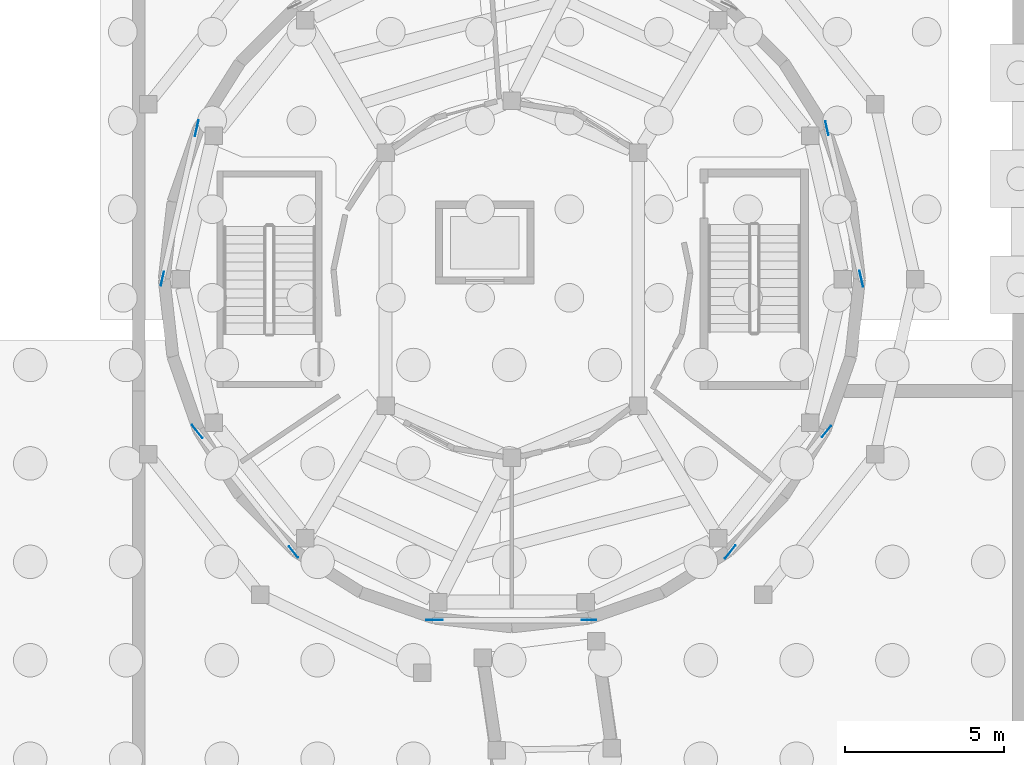
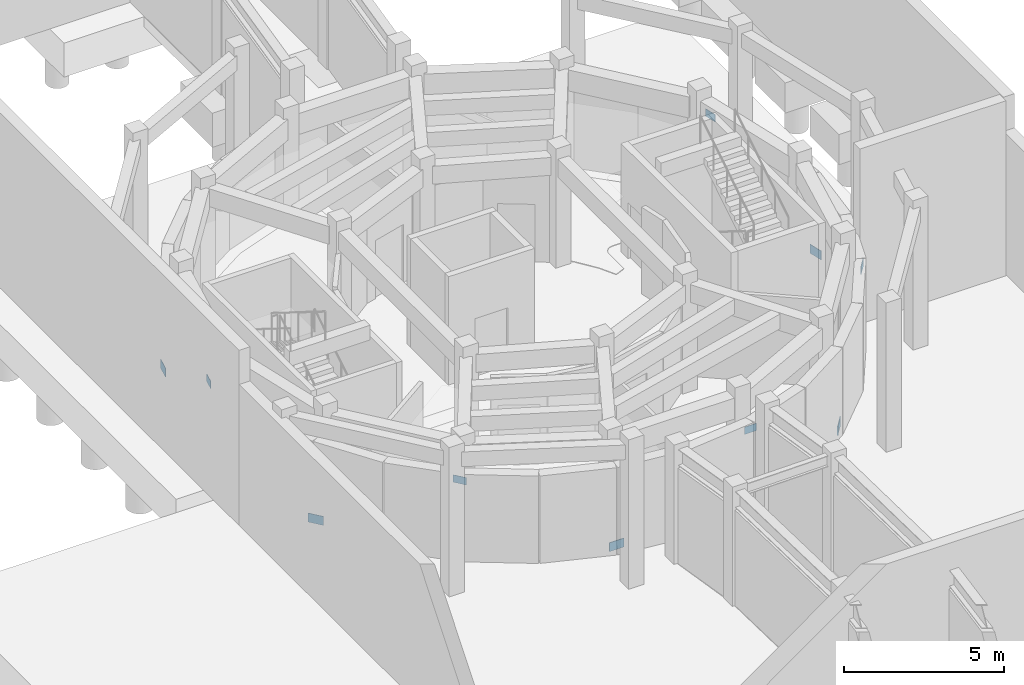
# One storey, part 25 of 57: 10 plates.
"""IFC4 building model written with IfcOpenShell, lengths in metres."""

from ifc_helpers import new_model, si_unit, direction, frame, origin, origin_2d, place, context, subcontext, project, spatial, rectangle, extrude, material, layer, layer_set, type_object, element, save


model = new_model("IFC4")

# Units and contexts
model_context = context("Model", 3, precision=1e-05, world=origin(), true_north=direction((0.0, 1.0)))
body_context = subcontext(model_context, "Body", "Model", "MODEL_VIEW")
ifc_project = project(units=[si_unit("LENGTHUNIT", "METRE"), si_unit("AREAUNIT", "SQUARE_METRE"), si_unit("VOLUMEUNIT", "CUBIC_METRE"), si_unit("PLANEANGLEUNIT", "RADIAN"), si_unit("MASSUNIT", "GRAM", prefix="KILO")], contexts=[model_context])

# Site, building, storey
site_placement = place(None, origin())
site = spatial("IfcSite", under=ifc_project, at=site_placement, CompositionType="ELEMENT")
building_placement = place(site_placement, origin())
building = spatial("IfcBuilding", under=site, at=building_placement, Name="Aldenvaro Health Centre", CompositionType="ELEMENT")
storey_placement = place(building_placement, frame((0.0, 0.0, -4.550048828125)))
storey = spatial("IfcBuildingStorey", under=building, at=storey_placement, Name="B1", CompositionType="ELEMENT", Elevation=-4.550048828125)

# Plates
ifc_material = material(Name="Steel ASTM A572 Grade 50", Category="steel")
ifc_layer_1 = layer(ifc_material, 0.01806640625, Name="Steel ASTM A572 Grade 50", Category="steel")
ifc_layer_set_1 = layer_set([ifc_layer_1], Name="Steel ASTM A572 Grade 50")
plate_type_1 = type_object("IfcPlateType", Name="PLT-GUS-02", PredefinedType="SHEET", material=ifc_layer_set_1)
for number, where, z_axis, x_axis, name in (
    (1, (34.4560546875, 57.51904296875, 0.1298828125), (0.0, 0.0, 1.0), (-0.222586565446, 0.974912929898, 0.0), "D3 B1 brace end gusset 1.B"),
    (2, (13.62109375, 62.236083984375, 0.1298828125), (0.0, 0.0, 1.0), (-0.222586565446, -0.974912929898, 0.0), "D3 B1 brace end gusset 7.B"),
    (3, (13.636962890625, 52.72900390625, 0.1298828125), (0.0, 0.0, 1.0), (0.623743186154, -0.781629348046, 0.0), "D3 B1 brace end gusset 9.B"),
    (4, (21.0810546875, 46.81494140625, 0.1298828125), (0.0, 0.0, 1.0), (1.0, 0.0, 0.0), "D3 B1 brace end gusset 11.B"),
    (5, (30.344970703125, 48.947021484375, 0.1298828125), (0.0, 0.0, 1.0), (0.623743186154, 0.781629348046, 0.0), "D3 B1 brace end gusset 13.B"),
):
    element("IfcPlate", number, at=place(storey_placement, frame(where, z_axis=z_axis, x_axis=x_axis)), inside=storey, type_object=plate_type_1, Name=name, PredefinedType="SHEET", context=body_context, shape_type="SweptSolid", body=[
        extrude(rectangle(XDim=0.52001953125, YDim=0.01806640625, at=origin_2d()), origin(), (0.0, 0.0, 1.0), 0.340087890625),
    ])
ifc_layer_2 = layer(ifc_material, 0.01611328125, Name="Steel ASTM A572 Grade 50", Category="steel")
ifc_layer_set_2 = layer_set([ifc_layer_2], Name="Steel ASTM A572 Grade 50")
plate_type_2 = type_object("IfcPlateType", Name="PLT-GUS-03", PredefinedType="SHEET", material=ifc_layer_set_2)
for number, where, z_axis, x_axis, name in (
    (6, (33.37890625, 62.236083984375, 2.89501953125), (0.0, 0.0, 1.0), (-0.222586565446, 0.974912929898, 0.0), "D3 B1 brace end gusset 1.T"),
    (7, (12.5439453125, 57.51904296875, 2.89501953125), (0.0, 0.0, 1.0), (-0.222586565446, -0.974912929898, 0.0), "D3 B1 brace end gusset 7.T"),
    (8, (16.655029296875, 48.947021484375, 2.89501953125), (0.0, 0.0, 1.0), (0.623743186154, -0.781629348046, 0.0), "D3 B1 brace end gusset 9.T"),
    (9, (25.9189453125, 46.81494140625, 2.89501953125), (0.0, 0.0, 1.0), (1.0, 0.0, 0.0), "D3 B1 brace end gusset 11.T"),
    (10, (33.363037109375, 52.72900390625, 2.89501953125), (0.0, 0.0, 1.0), (0.623743186154, 0.781629348046, 0.0), "D3 B1 brace end gusset 13.T"),
):
    element("IfcPlate", number, at=place(storey_placement, frame(where, z_axis=z_axis, x_axis=x_axis)), inside=storey, type_object=plate_type_2, Name=name, PredefinedType="SHEET", context=body_context, shape_type="SweptSolid", body=[
        extrude(rectangle(XDim=0.43994140625, YDim=0.01611328125, at=origin_2d()), origin(), (0.0, 0.0, 1.0), 0.280029296875),
    ])

save(model, "model.ifc")
